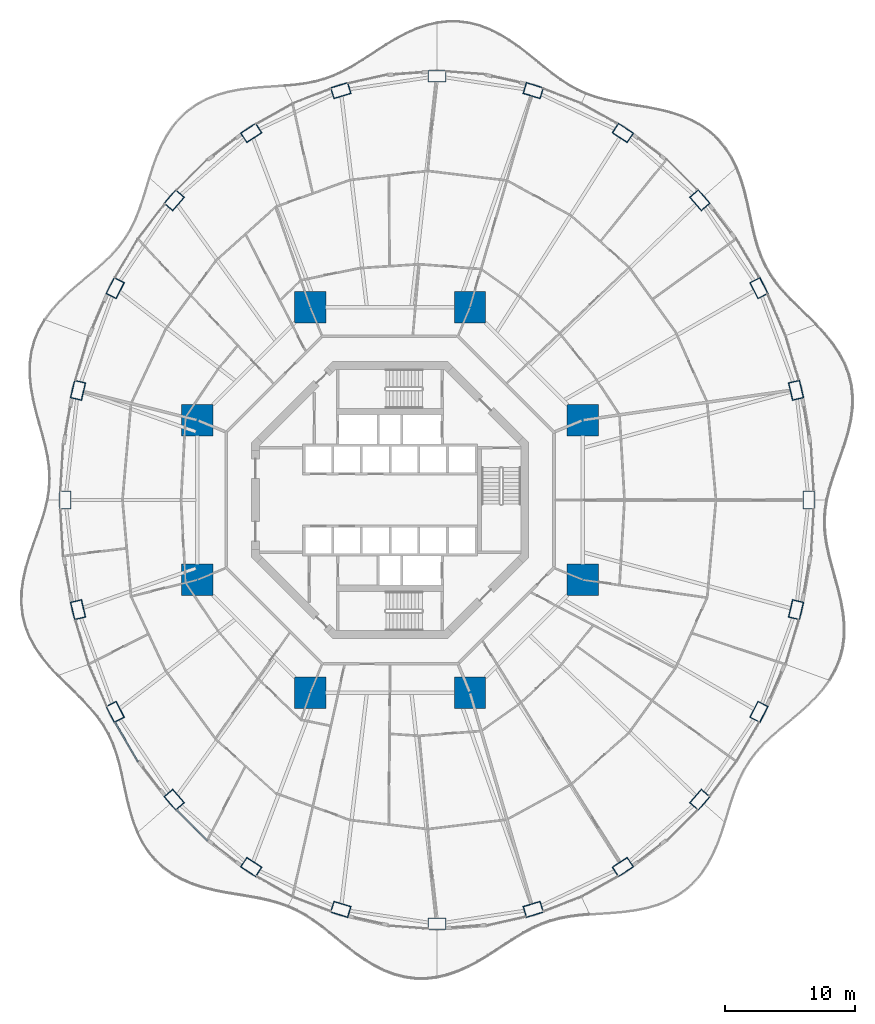
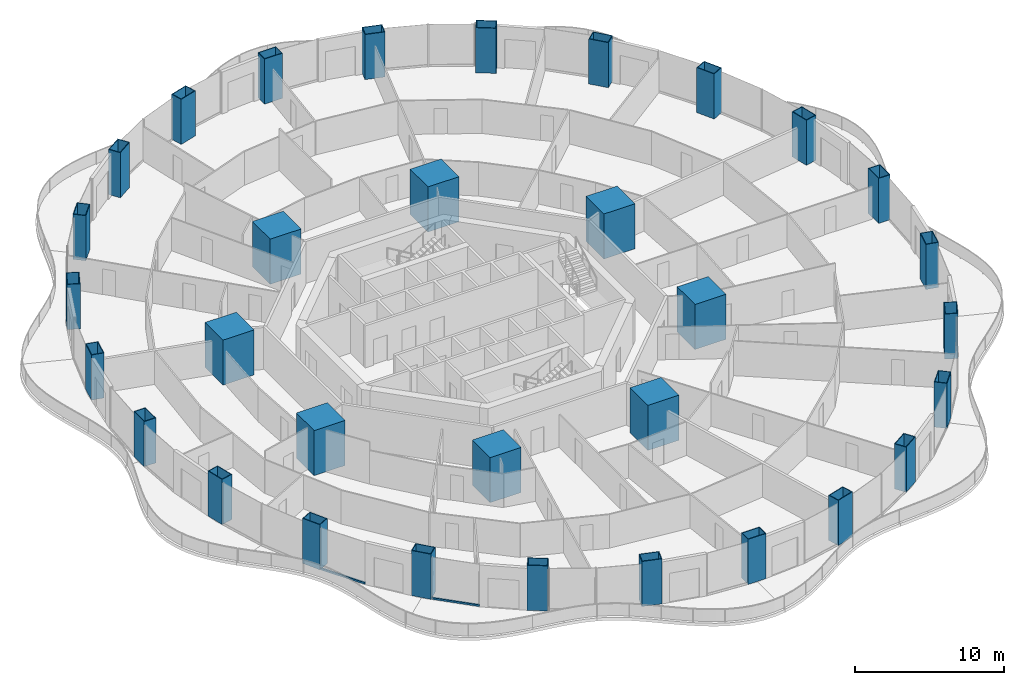
# One storey, part 1 of 22: 32 columns, 2 members, 2 elements without a shape of their own.
"""IFC4 building model written with IfcOpenShell, lengths in metres."""

from ifc_helpers import new_model, si_unit, direction, frame, origin, origin_2d, place, context, subcontext, project, spatial, rectangle, hollow_rectangle, extrude, material, layer, layer_set, material_profile, profile_set, type_object, element, aggregate, save


model = new_model("IFC4")

# Units and contexts
model_context = context("Model", 3, precision=1e-05, world=origin(), true_north=direction((0.0, 1.0)))
body_context = subcontext(model_context, "Body", "Model", "MODEL_VIEW")
ifc_project = project(units=[si_unit("LENGTHUNIT", "METRE"), si_unit("AREAUNIT", "SQUARE_METRE"), si_unit("VOLUMEUNIT", "CUBIC_METRE"), si_unit("PLANEANGLEUNIT", "RADIAN"), si_unit("MASSUNIT", "GRAM", prefix="KILO")], contexts=[model_context])

# Site, building, storey
site_placement = place(None, origin())
site = spatial("IfcSite", under=ifc_project, at=site_placement, CompositionType="ELEMENT")
building_placement = place(site_placement, origin())
building = spatial("IfcBuilding", under=site, at=building_placement, Name="Nagisa Residences", CompositionType="ELEMENT")
storey_placement = place(building_placement, frame((0.0, 0.0, 45.5)))
storey = spatial("IfcBuildingStorey", under=building, at=storey_placement, Name="L10", CompositionType="ELEMENT", Elevation=45.5)

# Columns
ifc_material_1 = material(Name="Concrete C80", Category="concrete")
ifc_material_profile_1 = material_profile(ifc_material_1, rectangle(XDim=2.39990234375, YDim=2.39990234375, at=origin_2d()), Name="C80 2400x2400")
ifc_profile_set_1 = profile_set([ifc_material_profile_1], Name="Concrete C80")
column_type_1 = type_object("IfcColumnType", Name="Inner megacolumn C80 2400x2400", PredefinedType="COLUMN", material=ifc_profile_set_1)
for number, where, z_axis, x_axis, name in (
    (1, (14.781982421875, 6.123046875, 0.0), (0.0, 0.0, 1.0), (1.0, 0.0, 0.0), "col:L10:i1"),
    (2, (6.123046875, 14.781982421875, 0.0), (0.0, 0.0, 1.0), (1.0, 0.0, 0.0), "col:L10:i2"),
    (3, (-6.123046875, 14.781982421875, 0.0), (0.0, 0.0, 1.0), (1.0, 0.0, 0.0), "col:L10:i3"),
    (4, (-14.781982421875, 6.123046875, 0.0), (0.0, 0.0, 1.0), (1.0, 0.0, 0.0), "col:L10:i4"),
    (5, (-14.781982421875, -6.123046875, 0.0), (0.0, 0.0, 1.0), (1.0, 0.0, 0.0), "col:L10:i5"),
    (6, (-6.123046875, -14.781982421875, 0.0), (0.0, 0.0, 1.0), (1.0, 0.0, 0.0), "col:L10:i6"),
    (7, (6.123046875, -14.781982421875, 0.0), (0.0, 0.0, 1.0), (1.0, 0.0, 0.0), "col:L10:i7"),
    (8, (14.781982421875, -6.123046875, 0.0), (0.0, 0.0, 1.0), (1.0, 0.0, 0.0), "col:L10:i8"),
):
    element("IfcColumn", number, at=place(storey_placement, frame(where, z_axis=z_axis, x_axis=x_axis)), inside=storey, type_object=column_type_1, Name=name, PredefinedType="COLUMN", context=body_context, shape_type="SweptSolid", body=[
        extrude(rectangle(XDim=2.39990234375, YDim=2.39990234375, at=origin_2d()), origin(), (0.0, 0.0, 1.0), 3.699951171875),
    ])
ifc_material_2 = material(Name="Steel ASTM A572 Gr 50", Category="steel")
ifc_material_profile_2 = material_profile(ifc_material_2, hollow_rectangle(XDim=1.39990234375, YDim=0.89990234375, WallThickness=0.050048828125, at=origin_2d()), Name="BX 1400x900x50")
ifc_profile_set_2 = profile_set([ifc_material_profile_2], Name="Steel ASTM A572 Gr 50")
column_type_2 = type_object("IfcColumnType", Name="Perimeter column BX 1400x900x50", PredefinedType="COLUMN", material=ifc_profile_set_2)
for number, where, z_axis, x_axis, name in (
    (9, (32.10009765625, 0.0, 0.0), (0.0, 0.0, 1.0), (0.0, 1.0, 0.0), "col:L10:p00"),
    (10, (31.12890625, 8.41162109375, 0.0), (0.0, 0.0, 1.0), (-0.229202013103, 0.973378876486, 0.0), "col:L10:p01"),
    (11, (28.28173828125, 16.25, 0.0), (0.0, 0.0, 1.0), (-0.452462697578, 0.891783329795, 0.0), "col:L10:p02"),
    (12, (23.75244140625, 22.98095703125, 0.0), (0.0, 0.0, 1.0), (-0.660114607735, 0.751164898445, 0.0), "col:L10:p03"),
    (13, (17.85009765625, 28.145751953125, 0.0), (0.0, 0.0, 1.0), (-0.835766105673, 0.54908561865, 0.0), "col:L10:p04"),
    (14, (10.976318359375, 31.392578125, 0.0), (0.0, 0.0, 1.0), (-0.956524583408, 0.291651712384, 0.0), "col:L10:p05"),
    (15, (3.60009765625, 32.5, 0.0), (0.0, 0.0, 1.0), (-1.0, 0.0, 0.0), "col:L10:p06"),
    (16, (-3.7763671875, 31.392578125, 0.0), (0.0, 0.0, 1.0), (-0.956524583408, -0.291651712384, 0.0), "col:L10:p07"),
    (17, (-10.64990234375, 28.145751953125, 0.0), (0.0, 0.0, 1.0), (-0.835766105673, -0.54908561865, 0.0), "col:L10:p08"),
    (18, (-16.552490234375, 22.98095703125, 0.0), (0.0, 0.0, 1.0), (-0.660114607735, -0.751164898445, 0.0), "col:L10:p09"),
    (19, (-21.081787109375, 16.25, 0.0), (0.0, 0.0, 1.0), (-0.452462697578, -0.891783329795, 0.0), "col:L10:p10"),
    (20, (-23.928955078125, 8.41162109375, 0.0), (0.0, 0.0, 1.0), (-0.229202013103, -0.973378876486, 0.0), "col:L10:p11"),
    (21, (-24.89990234375, 0.0, 0.0), (0.0, 0.0, 1.0), (0.0, -1.0, 0.0), "col:L10:p12"),
    (22, (-23.928955078125, -8.41162109375, 0.0), (0.0, 0.0, 1.0), (0.229202013103, -0.973378876486, 0.0), "col:L10:p13"),
    (23, (-21.081787109375, -16.25, 0.0), (0.0, 0.0, 1.0), (0.452462697578, -0.891783329795, 0.0), "col:L10:p14"),
    (24, (-16.552490234375, -22.98095703125, 0.0), (0.0, 0.0, 1.0), (0.660114607735, -0.751164898445, 0.0), "col:L10:p15"),
    (25, (-10.64990234375, -28.145751953125, 0.0), (0.0, 0.0, 1.0), (0.835766105673, -0.54908561865, 0.0), "col:L10:p16"),
    (26, (-3.7763671875, -31.392578125, 0.0), (0.0, 0.0, 1.0), (0.956524583408, -0.291651712384, 0.0), "col:L10:p17"),
    (27, (3.60009765625, -32.5, 0.0), (0.0, 0.0, 1.0), (1.0, 0.0, 0.0), "col:L10:p18"),
    (28, (10.976318359375, -31.392578125, 0.0), (0.0, 0.0, 1.0), (0.956524583408, 0.291651712384, 0.0), "col:L10:p19"),
    (29, (17.85009765625, -28.145751953125, 0.0), (0.0, 0.0, 1.0), (0.835766105673, 0.54908561865, 0.0), "col:L10:p20"),
    (30, (23.75244140625, -22.98095703125, 0.0), (0.0, 0.0, 1.0), (0.660114607735, 0.751164898445, 0.0), "col:L10:p21"),
    (31, (28.28173828125, -16.25, 0.0), (0.0, 0.0, 1.0), (0.452462697578, 0.891783329795, 0.0), "col:L10:p22"),
    (32, (31.12890625, -8.41162109375, 0.0), (0.0, 0.0, 1.0), (0.229202013103, 0.973378876486, 0.0), "col:L10:p23"),
):
    element("IfcColumn", number, at=place(storey_placement, frame(where, z_axis=z_axis, x_axis=x_axis)), inside=storey, type_object=column_type_2, Name=name, PredefinedType="COLUMN", context=body_context, shape_type="SweptSolid", body=[
        extrude(hollow_rectangle(XDim=1.39990234375, YDim=0.89990234375, WallThickness=0.050048828125, at=origin_2d()), origin(), (0.0, 0.0, 1.0), 3.699951171875),
    ])

# Curtain wall, member
ifc_material_3 = material(Name="Concrete-coloured aluminium curtain wall system", Category="concrete")
ifc_layer = layer(ifc_material_3, 0.159912109375)
ifc_layer_set = layer_set([ifc_layer], Name="CW1 CURTAIN WALL")
curtain_wall_type = type_object("IfcCurtainWallType", Name="CW1 CURTAIN WALL", PredefinedType="NOTDEFINED", material=ifc_layer_set)
curtain_wall_1_placement = place(storey_placement, origin())
curtain_wall_1 = element("IfcCurtainWall", 33, at=curtain_wall_1_placement, inside=storey, type_object=curtain_wall_type, Name="cw:CW1:L10:28", PredefinedType="NOTDEFINED")
ifc_material_4 = material(Name="Concrete-coloured aluminium", Category="concrete")
ifc_material_profile_3 = material_profile(ifc_material_4, rectangle(XDim=0.1201171875, YDim=0.14990234375, at=origin_2d()), Name="CW1 TRANSOM 120x150")
ifc_profile_set_3 = profile_set([ifc_material_profile_3], Name="Concrete-coloured aluminium")
member_type = type_object("IfcMemberType", Name="CW1 TRANSOM 120x150", PredefinedType="USERDEFINED", material=ifc_profile_set_3)
member_1_placement = place(storey_placement, frame((-21.09130859375, -17.063232421875, 0.074951171875), z_axis=(0.506341951316, -0.862332782827, 0.0), x_axis=(0.862332782827, 0.506341951316, 0.0)))
member_1 = element("IfcMember", 34, at=member_1_placement, type_object=member_type, Name="CW1 transom", ObjectType="TRANSOM", PredefinedType="USERDEFINED", context=body_context, shape_type="SweptSolid", body=[
    extrude(rectangle(XDim=0.1201171875, YDim=0.14990234375, at=origin_2d()), origin(), (0.0, 0.0, 1.0), 3.4619140625),
])
aggregate(curtain_wall_1, [member_1])

curtain_wall_2_placement = place(storey_placement, origin())
curtain_wall_2 = element("IfcCurtainWall", 35, at=curtain_wall_2_placement, inside=storey, type_object=curtain_wall_type, Name="cw:CW1:L10:30", PredefinedType="NOTDEFINED")
member_2_placement = place(storey_placement, frame((-16.35400390625, -23.7724609375, 0.074951171875), z_axis=(0.707839761606, -0.706373040177, 0.0), x_axis=(0.706373040177, 0.707839761606, 0.0)))
member_2 = element("IfcMember", 36, at=member_2_placement, type_object=member_type, Name="CW1 transom", ObjectType="TRANSOM", PredefinedType="USERDEFINED", context=body_context, shape_type="SweptSolid", body=[
    extrude(rectangle(XDim=0.1201171875, YDim=0.14990234375, at=origin_2d()), origin(), (0.0, 0.0, 1.0), 3.3291015625),
])
aggregate(curtain_wall_2, [member_2])

save(model, "model.ifc")
